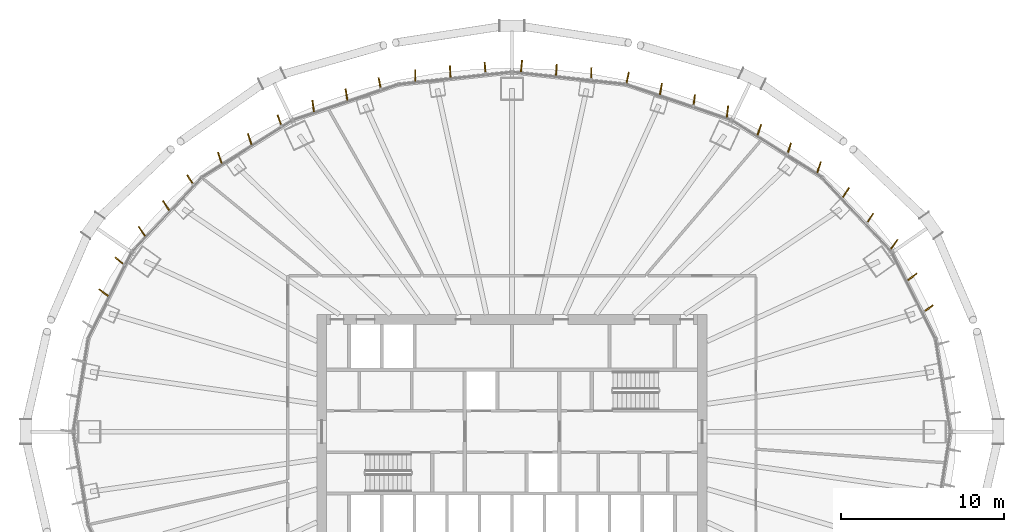
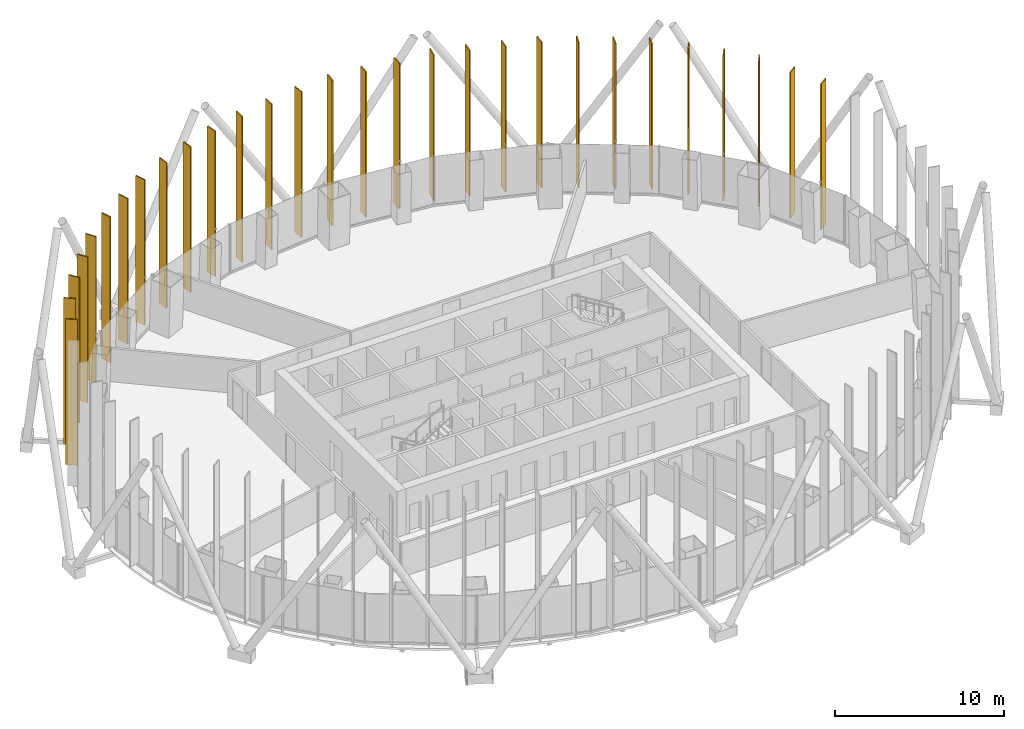
# One storey, part 21 of 21: 29 shading devices.
"""IFC4 building model written with IfcOpenShell, lengths in metres."""

from ifc_helpers import new_model, si_unit, direction, frame, origin, origin_2d, place, context, subcontext, project, spatial, rectangle, extrude, material, layer, layer_set, type_object, element, save


model = new_model("IFC4")

# Units and contexts
model_context = context("Model", 3, precision=1e-05, world=origin(), true_north=direction((0.0, 1.0)))
body_context = subcontext(model_context, "Body", "Model", "MODEL_VIEW")
ifc_project = project(units=[si_unit("LENGTHUNIT", "METRE"), si_unit("AREAUNIT", "SQUARE_METRE"), si_unit("VOLUMEUNIT", "CUBIC_METRE"), si_unit("PLANEANGLEUNIT", "RADIAN"), si_unit("MASSUNIT", "GRAM", prefix="KILO")], contexts=[model_context])

# Site, building, storey
site_placement = place(None, origin())
site = spatial("IfcSite", under=ifc_project, at=site_placement, CompositionType="ELEMENT")
building_placement = place(site_placement, origin())
building = spatial("IfcBuilding", under=site, at=building_placement, Name="Siaravel Broadcast Tower", CompositionType="ELEMENT")
storey_placement = place(building_placement, frame((0.0, 0.0, 70.39990234375)))
storey = spatial("IfcBuildingStorey", under=building, at=storey_placement, Name="L16", CompositionType="ELEMENT", Elevation=70.39990234375)

# Shading devices
ifc_material = material(Name="Bronze anodised aluminium", Category="aluminium")
ifc_layer = layer(ifc_material, 0.080078125)
ifc_layer_set = layer_set([ifc_layer], Name="Bronze anodised aluminium")
shading_device_type = type_object("IfcShadingDeviceType", Name="Bronze fin zone 1", PredefinedType="USERDEFINED", material=ifc_layer_set)
for number, where, z_axis, x_axis, name in (
    (1, (25.603759765625, 7.57568359375, 0.300048828125), (0.0, 0.0, 1.0), (0.81266162, 0.582735868, 0.0), "Bronze fin L16-04"),
    (2, (24.61767578125, 9.521484375, 0.300048828125), (0.0, 0.0, 1.0), (0.792827112, 0.60944661, 0.0), "Bronze fin L16-05"),
    (3, (23.505126953125, 11.528076171875, 0.300048828125), (0.0, 0.0, 1.0), (0.568494367, 0.822687155, 0.0), "Bronze fin L16-06"),
    (4, (22.0166015625, 13.115234375, 0.300048828125), (0.0, 0.0, 1.0), (0.553632844, 0.832760875, 0.0), "Bronze fin L16-07"),
    (5, (20.530029296875, 14.700927734375, 0.300048828125), (0.0, 0.0, 1.0), (0.544914192, 0.838491815, 0.0), "Bronze fin L16-08"),
    (6, (18.879150390625, 16.259033203125, 0.300048828125), (0.0, 0.0, 1.0), (0.311645102, 0.950198574, 0.0), "Bronze fin L16-09"),
    (7, (17.043701171875, 17.413330078125, 0.300048828125), (0.0, 0.0, 1.0), (0.316377628, 0.948633331, 0.0), "Bronze fin L16-10"),
    (8, (15.210693359375, 18.566650390625, 0.300048828125), (0.0, 0.0, 1.0), (0.327869274, 0.944723102, 0.0), "Bronze fin L16-11"),
    (9, (13.247314453125, 19.680419921875, 0.300048828125), (0.0, 0.0, 1.0), (0.118320781, 0.992975424, 0.0), "Bronze fin L16-12"),
    (10, (11.20068359375, 20.37646484375, 0.300048828125), (0.0, 0.0, 1.0), (0.141917173, 0.989878536, 0.0), "Bronze fin L16-13"),
    (11, (9.156005859375, 21.072021484375, 0.300048828125), (0.0, 0.0, 1.0), (0.170575818, 0.985344554, 0.0), "Bronze fin L16-14"),
    (12, (7.1123046875, 21.76708984375, 0.300048828125), (0.0, 0.0, 1.0), (0.203026559, 0.979173231, 0.0), "Bronze fin L16-15"),
    (13, (4.87158203125, 22.019287109375, 0.300048828125), (0.0, 0.0, 1.0), (0.020307255, 0.999793786, 0.0), "Bronze fin L16-16"),
    (14, (2.727783203125, 22.251220703125, 0.300048828125), (0.0, 0.0, 1.0), (0.058386437, 0.998294057, 0.0), "Bronze fin L16-17"),
    (15, (0.583984375, 22.48291015625, 0.300048828125), (0.0, 0.0, 1.0), (0.097476942, 0.995237784, 0.0), "Bronze fin L16-18"),
    (16, (-1.65576171875, 22.3671875, 0.300048828125), (0.0, 0.0, 1.0), (-0.07790578, 0.996960726, 0.0), "Bronze fin L16-19"),
    (17, (-3.799560546875, 22.13525390625, 0.300048828125), (0.0, 0.0, 1.0), (-0.039120297, 0.999234508, 0.0), "Bronze fin L16-20"),
    (18, (-5.944091796875, 21.90283203125, 0.300048828125), (0.0, 0.0, 1.0), (-0.002138027, 0.999997714, 0.0), "Bronze fin L16-21"),
    (19, (-8.134033203125, 21.419677734375, 0.300048828125), (0.0, 0.0, 1.0), (-0.186419438, 0.98247025, 0.0), "Bronze fin L16-22"),
    (20, (-10.177978515625, 20.724365234375, 0.300048828125), (0.0, 0.0, 1.0), (-0.155682825, 0.987807096, 0.0), "Bronze fin L16-23"),
    (21, (-12.2236328125, 20.028564453125, 0.300048828125), (0.0, 0.0, 1.0), (-0.129422118, 0.99158959, 0.0), "Bronze fin L16-24"),
    (22, (-14.294921875, 19.14306640625, 0.300048828125), (0.0, 0.0, 1.0), (-0.33597273, 0.941871714, 0.0), "Bronze fin L16-25"),
    (23, (-16.126953125, 17.989990234375, 0.300048828125), (0.0, 0.0, 1.0), (-0.32130394, 0.946976123, 0.0), "Bronze fin L16-26"),
    (24, (-17.961181640625, 16.836181640625, 0.300048828125), (0.0, 0.0, 1.0), (-0.313150546, 0.949703499, 0.0), "Bronze fin L16-27"),
    (25, (-19.78759765625, 15.4931640625, 0.300048828125), (0.0, 0.0, 1.0), (-0.543049884, 0.839700437, 0.0), "Bronze fin L16-28"),
    (26, (-21.27294921875, 13.908203125, 0.300048828125), (0.0, 0.0, 1.0), (-0.548456694, 0.836178961, 0.0), "Bronze fin L16-29"),
    (27, (-22.760498046875, 12.322021484375, 0.300048828125), (0.0, 0.0, 1.0), (-0.560355695, 0.828252072, 0.0), "Bronze fin L16-30"),
    (28, (-24.125, 10.493408203125, 0.300048828125), (0.0, 0.0, 1.0), (-0.784161569, 0.620556713, 0.0), "Bronze fin L16-31"),
    (29, (-25.110595703125, 8.548828125, 0.300048828125), (0.0, 0.0, 1.0), (-0.80239062, 0.596799206, 0.0), "Bronze fin L16-32"),
):
    element("IfcShadingDevice", number, at=place(storey_placement, frame(where, z_axis=z_axis, x_axis=x_axis)), inside=storey, type_object=shading_device_type, Name=name, ObjectType="FIN", PredefinedType="USERDEFINED", context=body_context, shape_type="SweptSolid", body=[
        extrude(rectangle(XDim=0.699951171875, YDim=0.080078125, at=origin_2d()), origin(), (0.0, 0.0, 1.0), 10.5),
    ])

save(model, "model.ifc")
